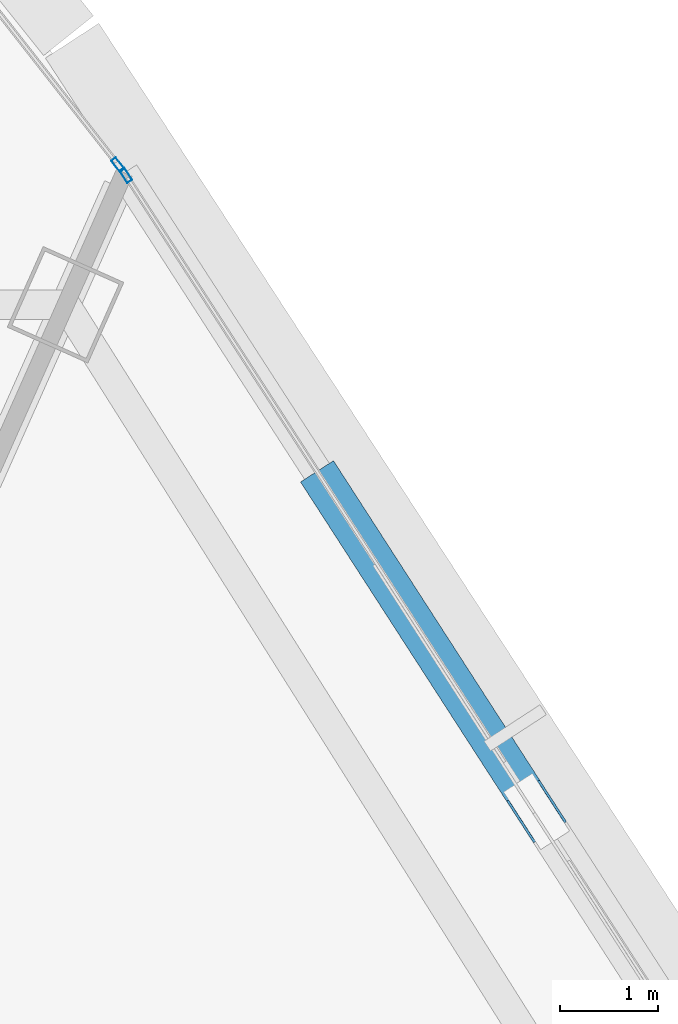
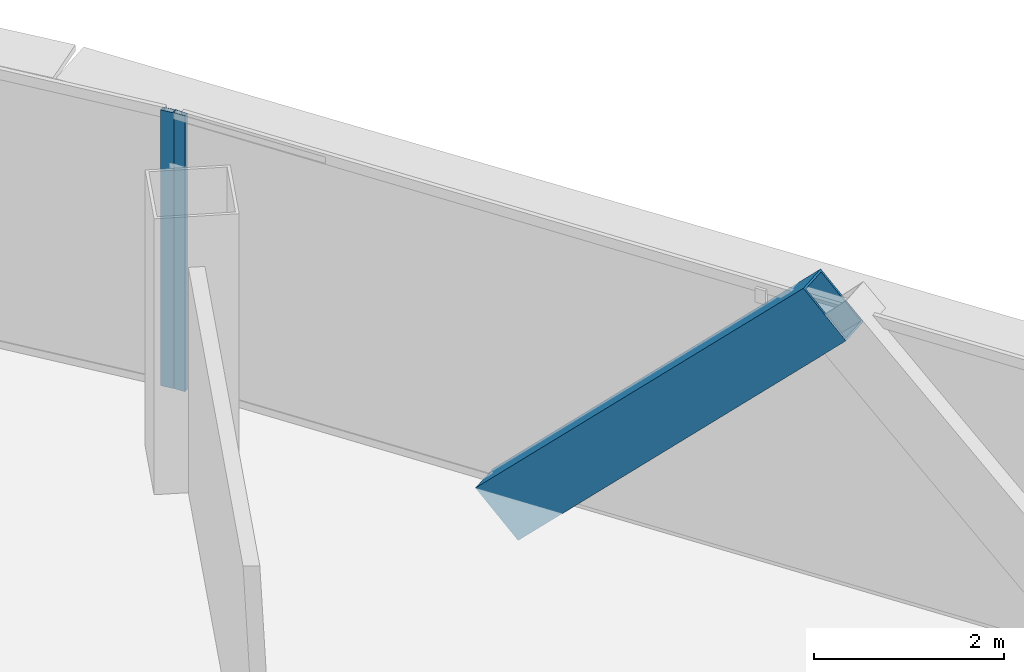
# One storey, part 22 of 36: 3 members, 2 elements without a shape of their own.
"""IFC4 building model written with IfcOpenShell, lengths in metres."""

from ifc_helpers import new_model, si_unit, direction, frame, origin, origin_2d, place, context, subcontext, project, spatial, hollow_rectangle, extrude, source, transform, mapped, material, layer, layer_set, material_profile, profile_set, type_object, element, aggregate, save


model = new_model("IFC4")

# Units and contexts
model_context = context("Model", 3, precision=1e-05, world=origin(), true_north=direction((0.0, 1.0)))
body_context = subcontext(model_context, "Body", "Model", "MODEL_VIEW")
ifc_project = project(units=[si_unit("LENGTHUNIT", "METRE"), si_unit("AREAUNIT", "SQUARE_METRE"), si_unit("VOLUMEUNIT", "CUBIC_METRE"), si_unit("PLANEANGLEUNIT", "RADIAN"), si_unit("MASSUNIT", "GRAM", prefix="KILO"), si_unit("THERMODYNAMICTEMPERATUREUNIT", "KELVIN"), si_unit("POWERUNIT", "WATT")], contexts=[model_context])

# Site, building, storey
site_placement = place(None, origin())
site = spatial("IfcSite", under=ifc_project, at=site_placement, CompositionType="ELEMENT")
building_placement = place(site_placement, origin())
building = spatial("IfcBuilding", under=site, at=building_placement, Name="Yunzhuo Pagoda Commons", CompositionType="ELEMENT")
storey_placement = place(building_placement, frame((0.0, 0.0, 211.360107421875)))
storey = spatial("IfcBuildingStorey", under=building, at=storey_placement, Name="L53", CompositionType="ELEMENT", Elevation=211.360107421875)

# Member
ifc_material_1 = material(Name="Structural steel Q355B", Category="steel")
ifc_material_profile_1 = material_profile(ifc_material_1, hollow_rectangle(XDim=0.39990234375, YDim=0.719970703125, WallThickness=0.02392578125, at=origin_2d()), Name="Structural steel Q355B")
ifc_profile_set_1 = profile_set([ifc_material_profile_1], Name="Structural steel Q355B")
member_type_1 = type_object("IfcMemberType", Name="M-DL2 Brace BOX 720x400x24", PredefinedType="BRACE", material=ifc_profile_set_1)
shared_shape_1 = source(origin(), body_context, "Body", "SweptSolid", [
    extrude(hollow_rectangle(XDim=0.39990234375, YDim=0.719970703125, WallThickness=0.02392578125, at=origin_2d()), origin(), (0.0, 0.0, 1.0), 5.42626953125),
])
member_1_placement = place(storey_placement, frame((65.398681640625, 64.804931640625, -0.260009765625), z_axis=(0.387195625252, -0.599779790871, 0.700245492845), x_axis=(0.840142880277, 0.542365135974, 0.0)))
element("IfcMember", 1, at=member_1_placement, inside=storey, type_object=member_type_1, Name="L53 facade diamond brace F2.3R", PredefinedType="BRACE", context=body_context, shape_type="MappedRepresentation", body=[
    mapped(shared_shape_1, transform((0.0, 0.0, 0.0), scale=1.0)),
])

# Curtain wall, member
ifc_material_2 = material(Name="Anodized aluminium 6063-T6", Category="aluminium")
ifc_layer = layer(ifc_material_2, 0.14990234375)
ifc_layer_set = layer_set([ifc_layer], Name="Anodized aluminium 6063-T6")
curtain_wall_type = type_object("IfcCurtainWallType", Name="CW-MID Mid-Zone Ribbon Curtain Wall", PredefinedType="NOTDEFINED", material=ifc_layer_set)
curtain_wall_1_placement = place(storey_placement, origin())
curtain_wall_1 = element("IfcCurtainWall", 2, at=curtain_wall_1_placement, inside=storey, type_object=curtain_wall_type, Name="L53 curtain wall CW-L53-F2B4", PredefinedType="NOTDEFINED")
ifc_material_profile_2 = material_profile(ifc_material_2, hollow_rectangle(XDim=0.06005859375, YDim=0.14990234375, WallThickness=0.00390625, at=origin_2d()), Name="Anodized aluminium 6063-T6")
ifc_profile_set_2 = profile_set([ifc_material_profile_2], Name="Anodized aluminium 6063-T6")
member_type_2 = type_object("IfcMemberType", Name="CW-MID-M Mullion RHS 150x60x4", PredefinedType="MULLION", material=ifc_profile_set_2)
shared_shape_2 = source(origin(), body_context, "Body", "SweptSolid", [
    extrude(hollow_rectangle(XDim=0.06005859375, YDim=0.14990234375, WallThickness=0.00390625, at=origin_2d()), origin(), (0.0, 0.0, 1.0), 3.539794921875),
])
member_2_placement = place(storey_placement, frame((63.31396484375, 68.0341796875, 0.0), z_axis=(0.0, 0.0, 1.0), x_axis=(-0.840138139518, -0.542372479508, 0.0)))
member_2 = element("IfcMember", 3, at=member_2_placement, type_object=member_type_2, Name="CW mullion 2", PredefinedType="MULLION", context=body_context, shape_type="MappedRepresentation", body=[
    mapped(shared_shape_2, transform((0.0, 0.0, 0.0), scale=1.0)),
])
aggregate(curtain_wall_1, [member_2])

curtain_wall_2_placement = place(storey_placement, origin())
curtain_wall_2 = element("IfcCurtainWall", 4, at=curtain_wall_2_placement, inside=storey, type_object=curtain_wall_type, Name="L53 curtain wall CW-L53-F2B5", PredefinedType="NOTDEFINED")
member_3_placement = place(storey_placement, frame((63.23291015625, 68.141845703125, 0.0), z_axis=(0.0, 0.0, 1.0), x_axis=(-0.78725022787, -0.616633666547, 0.0)))
member_3 = element("IfcMember", 5, at=member_3_placement, type_object=member_type_2, Name="CW mullion 1", PredefinedType="MULLION", context=body_context, shape_type="MappedRepresentation", body=[
    mapped(shared_shape_2, transform((0.0, 0.0, 0.0), scale=1.0)),
])
aggregate(curtain_wall_2, [member_3])

save(model, "model.ifc")
